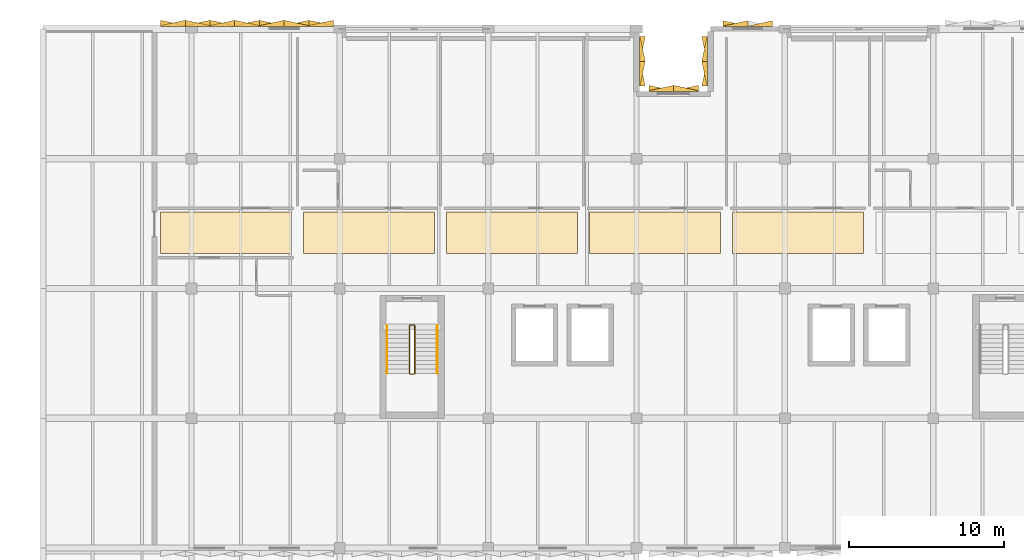
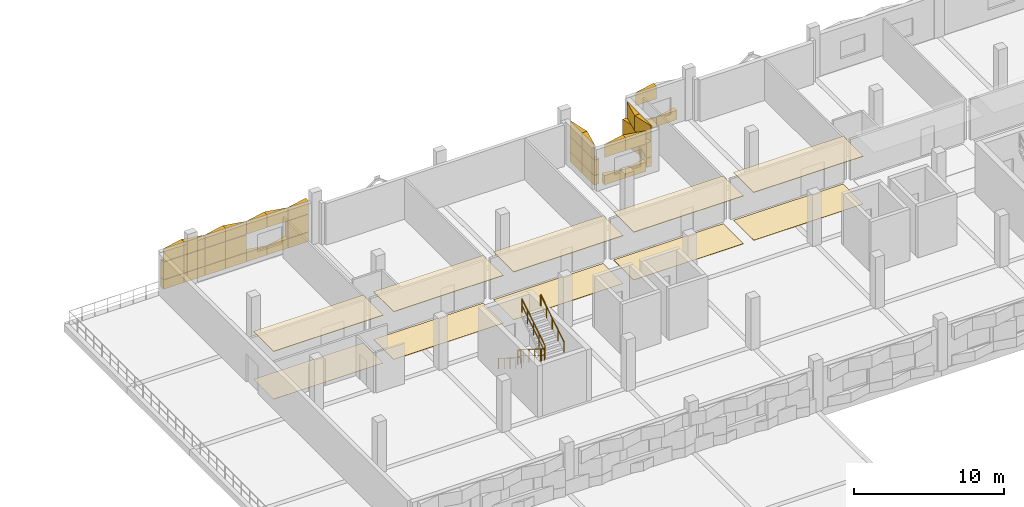
# One storey, part 22 of 24: 48 coverings, 6 railings.
"""IFC4 building model written with IfcOpenShell, lengths in metres."""

from ifc_helpers import new_model, si_unit, direction, frame, origin, origin_2d, place, context, subcontext, project, spatial, polyline, circle, outline, extrude, material, layer, layer_set, type_object, element, save


model = new_model("IFC4")

# Units and contexts
model_context = context("Model", 3, precision=1e-05, world=origin(), true_north=direction((0.0, 1.0)))
body_context = subcontext(model_context, "Body", "Model", "MODEL_VIEW")
ifc_project = project(units=[si_unit("LENGTHUNIT", "METRE"), si_unit("AREAUNIT", "SQUARE_METRE"), si_unit("VOLUMEUNIT", "CUBIC_METRE"), si_unit("PLANEANGLEUNIT", "RADIAN"), si_unit("MASSUNIT", "GRAM", prefix="KILO")], contexts=[model_context])

# Site, building, storey
site_placement = place(None, origin())
site = spatial("IfcSite", under=ifc_project, at=site_placement, CompositionType="ELEMENT")
building_placement = place(site_placement, origin())
building = spatial("IfcBuilding", under=site, at=building_placement, Name="Oolite Switchyard Hospital", CompositionType="ELEMENT")
storey_placement = place(building_placement, frame((0.0, 0.0, 22.0)))
storey = spatial("IfcBuildingStorey", under=building, at=storey_placement, Name="L05", CompositionType="ELEMENT", Elevation=22.0)

# Coverings
ifc_material_1 = material(Name="Hygienic washable mineral-fibre acoustic ceiling")
ifc_layer_1 = layer(ifc_material_1, 0.0400390625)
ifc_layer_set_1 = layer_set([ifc_layer_1], Name="COV-CEIL-AC60")
covering_type_1 = type_object("IfcCoveringType", Name="COV-CEIL-AC60", PredefinedType="CEILING", material=ifc_layer_set_1)
covering_1_placement = place(storey_placement, frame((0.0, 0.0, 3.885009765625)))
element("IfcCovering", 1, at=covering_1_placement, inside=storey, type_object=covering_type_1, Name="L05 East Cardiothoracic Step-Down Corridor Ceiling 1", PredefinedType="CEILING", context=body_context, shape_type="SweptSolid", body=[
    extrude(outline(polyline([(142.0, 119.85009765625), (150.45703125, 119.85009765625), (150.45703125, 122.550048828125), (142.0, 122.550048828125), (142.0, 119.85009765625)])), origin(), (0.0, 0.0, 1.0), 0.0400390625),
])
covering_2_placement = place(storey_placement, frame((0.0, 0.0, 3.885009765625)))
element("IfcCovering", 2, at=covering_2_placement, inside=storey, type_object=covering_type_1, Name="L05 East Cardiothoracic Step-Down Corridor Ceiling 2", PredefinedType="CEILING", context=body_context, shape_type="SweptSolid", body=[
    extrude(outline(polyline([(151.257080078125, 119.85009765625), (159.714111328125, 119.85009765625), (159.714111328125, 122.550048828125), (151.257080078125, 122.550048828125), (151.257080078125, 119.85009765625)])), origin(), (0.0, 0.0, 1.0), 0.0400390625),
])
covering_3_placement = place(storey_placement, frame((0.0, 0.0, 3.885009765625)))
element("IfcCovering", 3, at=covering_3_placement, inside=storey, type_object=covering_type_1, Name="L05 East Cardiothoracic Step-Down Corridor Ceiling 3", PredefinedType="CEILING", context=body_context, shape_type="SweptSolid", body=[
    extrude(outline(polyline([(160.513916015625, 119.85009765625), (168.970947265625, 119.85009765625), (168.970947265625, 122.550048828125), (160.513916015625, 122.550048828125), (160.513916015625, 119.85009765625)])), origin(), (0.0, 0.0, 1.0), 0.0400390625),
])
covering_4_placement = place(storey_placement, frame((0.0, 0.0, 3.885009765625)))
element("IfcCovering", 4, at=covering_4_placement, inside=storey, type_object=covering_type_1, Name="L05 East Cardiothoracic Step-Down Corridor Ceiling 4", PredefinedType="CEILING", context=body_context, shape_type="SweptSolid", body=[
    extrude(outline(polyline([(169.77099609375, 119.85009765625), (178.22802734375, 119.85009765625), (178.22802734375, 122.550048828125), (169.77099609375, 122.550048828125), (169.77099609375, 119.85009765625)])), origin(), (0.0, 0.0, 1.0), 0.0400390625),
])
covering_5_placement = place(storey_placement, frame((0.0, 0.0, 3.885009765625)))
element("IfcCovering", 5, at=covering_5_placement, inside=storey, type_object=covering_type_1, Name="L05 East Cardiothoracic Step-Down Corridor Ceiling 5", PredefinedType="CEILING", context=body_context, shape_type="SweptSolid", body=[
    extrude(outline(polyline([(179.028076171875, 119.85009765625), (187.485107421875, 119.85009765625), (187.485107421875, 122.550048828125), (179.028076171875, 122.550048828125), (179.028076171875, 119.85009765625)])), origin(), (0.0, 0.0, 1.0), 0.0400390625),
])
ifc_material_2 = material(Name="Precast oolitic limestone architectural concrete C40/50", Category="masonry")
covering_type_2 = type_object("IfcCoveringType", Name="COV-CHEV-COOL", PredefinedType="CLADDING", material=ifc_material_2)
covering_6_placement = place(storey_placement, frame((173.60009765625, 130.360107421875, 0.050048828125), z_axis=(0.0, 0.0, 1.0), x_axis=(1.0, 0.0, 0.0)))
element("IfcCovering", 6, at=covering_6_placement, inside=storey, type_object=covering_type_2, Name="L05 Chevron Precast Oolite Panel 1189", PredefinedType="CLADDING", context=body_context, shape_type="SweptSolid", body=[
    extrude(outline(polyline([(0.0, 0.0), (1.599853515625, 0.0), (1.599853515625, 0.044921875), (0.0, 0.385009765625), (0.0, 0.0)])), origin(), (0.0, 0.0, 1.0), 0.760009765625),
])
covering_7_placement = place(storey_placement, frame((173.60009765625, 130.360107421875, 2.2900390625), z_axis=(0.0, 0.0, 1.0), x_axis=(1.0, 0.0, 0.0)))
element("IfcCovering", 7, at=covering_7_placement, inside=storey, type_object=covering_type_2, Name="L05 Chevron Precast Oolite Panel 1190", PredefinedType="CLADDING", context=body_context, shape_type="SweptSolid", body=[
    extrude(outline(polyline([(0.0, 0.0), (1.599853515625, 0.0), (1.599853515625, 0.385009765625), (0.0, 0.044921875), (0.0, 0.0)])), origin(), (0.0, 0.0, 1.0), 1.050048828125),
])
covering_8_placement = place(storey_placement, frame((175.199951171875, 130.360107421875, 0.050048828125), z_axis=(0.0, 0.0, 1.0), x_axis=(1.0, 0.0, 0.0)))
element("IfcCovering", 8, at=covering_8_placement, inside=storey, type_object=covering_type_2, Name="L05 Chevron Precast Oolite Panel 1191", PredefinedType="CLADDING", context=body_context, shape_type="SweptSolid", body=[
    extrude(outline(polyline([(0.0, 0.0), (1.60009765625, 0.0), (1.60009765625, 0.385009765625), (0.0, 0.044921875), (0.0, 0.0)])), origin(), (0.0, 0.0, 1.0), 0.760009765625),
])
covering_9_placement = place(storey_placement, frame((175.199951171875, 130.360107421875, 2.2900390625), z_axis=(0.0, 0.0, 1.0), x_axis=(1.0, 0.0, 0.0)))
element("IfcCovering", 9, at=covering_9_placement, inside=storey, type_object=covering_type_2, Name="L05 Chevron Precast Oolite Panel 1192", PredefinedType="CLADDING", context=body_context, shape_type="SweptSolid", body=[
    extrude(outline(polyline([(0.0, 0.0), (1.60009765625, 0.0), (1.60009765625, 0.044921875), (0.0, 0.385009765625), (0.0, 0.0)])), origin(), (0.0, 0.0, 1.0), 1.050048828125),
])
covering_10_placement = place(storey_placement, frame((142.0, 134.570068359375, 0.050048828125), z_axis=(0.0, 0.0, 1.0), x_axis=(1.0, 0.0, 0.0)))
element("IfcCovering", 10, at=covering_10_placement, inside=storey, type_object=covering_type_2, Name="L05 Chevron Precast Oolite Panel 1193", PredefinedType="CLADDING", context=body_context, shape_type="SweptSolid", body=[
    extrude(outline(polyline([(0.0, 0.0), (1.60009765625, 0.0), (1.60009765625, 0.044921875), (0.0, 0.385009765625), (0.0, 0.0)])), origin(), (0.0, 0.0, 1.0), 0.760009765625),
])
covering_11_placement = place(storey_placement, frame((142.0, 134.570068359375, 2.2900390625), z_axis=(0.0, 0.0, 1.0), x_axis=(1.0, 0.0, 0.0)))
element("IfcCovering", 11, at=covering_11_placement, inside=storey, type_object=covering_type_2, Name="L05 Chevron Precast Oolite Panel 1194", PredefinedType="CLADDING", context=body_context, shape_type="SweptSolid", body=[
    extrude(outline(polyline([(0.0, 0.0), (1.60009765625, 0.0), (1.60009765625, 0.385009765625), (0.0, 0.044921875), (0.0, 0.0)])), origin(), (0.0, 0.0, 1.0), 1.050048828125),
])
covering_12_placement = place(storey_placement, frame((142.0, 134.570068359375, 0.830078125), z_axis=(0.0, 0.0, 1.0), x_axis=(1.0, 0.0, 0.0)))
element("IfcCovering", 12, at=covering_12_placement, inside=storey, type_object=covering_type_2, Name="L05 Chevron Precast Oolite Panel 1195", PredefinedType="CLADDING", context=body_context, shape_type="SweptSolid", body=[
    extrude(outline(polyline([(0.0, 0.0), (1.60009765625, 0.0), (1.60009765625, 0.044921875), (0.0, 0.385009765625), (0.0, 0.0)])), origin(), (0.0, 0.0, 1.0), 1.43994140625),
])
covering_13_placement = place(storey_placement, frame((143.60009765625, 134.570068359375, 0.050048828125), z_axis=(0.0, 0.0, 1.0), x_axis=(1.0, 0.0, 0.0)))
element("IfcCovering", 13, at=covering_13_placement, inside=storey, type_object=covering_type_2, Name="L05 Chevron Precast Oolite Panel 1196", PredefinedType="CLADDING", context=body_context, shape_type="SweptSolid", body=[
    extrude(outline(polyline([(0.0, 0.0), (1.599853515625, 0.0), (1.599853515625, 0.385009765625), (0.0, 0.044921875), (0.0, 0.0)])), origin(), (0.0, 0.0, 1.0), 0.760009765625),
])
covering_14_placement = place(storey_placement, frame((143.60009765625, 134.570068359375, 2.2900390625), z_axis=(0.0, 0.0, 1.0), x_axis=(1.0, 0.0, 0.0)))
element("IfcCovering", 14, at=covering_14_placement, inside=storey, type_object=covering_type_2, Name="L05 Chevron Precast Oolite Panel 1197", PredefinedType="CLADDING", context=body_context, shape_type="SweptSolid", body=[
    extrude(outline(polyline([(0.0, 0.0), (1.599853515625, 0.0), (1.599853515625, 0.044921875), (0.0, 0.385009765625), (0.0, 0.0)])), origin(), (0.0, 0.0, 1.0), 1.050048828125),
])
covering_15_placement = place(storey_placement, frame((143.60009765625, 134.570068359375, 0.830078125), z_axis=(0.0, 0.0, 1.0), x_axis=(1.0, 0.0, 0.0)))
element("IfcCovering", 15, at=covering_15_placement, inside=storey, type_object=covering_type_2, Name="L05 Chevron Precast Oolite Panel 1198", PredefinedType="CLADDING", context=body_context, shape_type="SweptSolid", body=[
    extrude(outline(polyline([(0.0, 0.0), (1.599853515625, 0.0), (1.599853515625, 0.385009765625), (0.0, 0.044921875), (0.0, 0.0)])), origin(), (0.0, 0.0, 1.0), 1.43994140625),
])
covering_16_placement = place(storey_placement, frame((145.199951171875, 134.570068359375, 0.050048828125), z_axis=(0.0, 0.0, 1.0), x_axis=(1.0, 0.0, 0.0)))
element("IfcCovering", 16, at=covering_16_placement, inside=storey, type_object=covering_type_2, Name="L05 Chevron Precast Oolite Panel 1199", PredefinedType="CLADDING", context=body_context, shape_type="SweptSolid", body=[
    extrude(outline(polyline([(0.0, 0.0), (1.60009765625, 0.0), (1.60009765625, 0.044921875), (0.0, 0.385009765625), (0.0, 0.0)])), origin(), (0.0, 0.0, 1.0), 0.760009765625),
])
covering_17_placement = place(storey_placement, frame((145.199951171875, 134.570068359375, 2.2900390625), z_axis=(0.0, 0.0, 1.0), x_axis=(1.0, 0.0, 0.0)))
element("IfcCovering", 17, at=covering_17_placement, inside=storey, type_object=covering_type_2, Name="L05 Chevron Precast Oolite Panel 1200", PredefinedType="CLADDING", context=body_context, shape_type="SweptSolid", body=[
    extrude(outline(polyline([(0.0, 0.0), (1.60009765625, 0.0), (1.60009765625, 0.385009765625), (0.0, 0.044921875), (0.0, 0.0)])), origin(), (0.0, 0.0, 1.0), 1.050048828125),
])
covering_18_placement = place(storey_placement, frame((145.199951171875, 134.570068359375, 0.830078125), z_axis=(0.0, 0.0, 1.0), x_axis=(1.0, 0.0, 0.0)))
element("IfcCovering", 18, at=covering_18_placement, inside=storey, type_object=covering_type_2, Name="L05 Chevron Precast Oolite Panel 1201", PredefinedType="CLADDING", context=body_context, shape_type="SweptSolid", body=[
    extrude(outline(polyline([(0.0, 0.0), (1.60009765625, 0.0), (1.60009765625, 0.044921875), (0.0, 0.385009765625), (0.0, 0.0)])), origin(), (0.0, 0.0, 1.0), 1.43994140625),
])
covering_19_placement = place(storey_placement, frame((146.800048828125, 134.570068359375, 0.050048828125), z_axis=(0.0, 0.0, 1.0), x_axis=(1.0, 0.0, 0.0)))
element("IfcCovering", 19, at=covering_19_placement, inside=storey, type_object=covering_type_2, Name="L05 Chevron Precast Oolite Panel 1202", PredefinedType="CLADDING", context=body_context, shape_type="SweptSolid", body=[
    extrude(outline(polyline([(0.0, 0.0), (1.599853515625, 0.0), (1.599853515625, 0.385009765625), (0.0, 0.044921875), (0.0, 0.0)])), origin(), (0.0, 0.0, 1.0), 0.760009765625),
])
covering_20_placement = place(storey_placement, frame((146.800048828125, 134.570068359375, 2.2900390625), z_axis=(0.0, 0.0, 1.0), x_axis=(1.0, 0.0, 0.0)))
element("IfcCovering", 20, at=covering_20_placement, inside=storey, type_object=covering_type_2, Name="L05 Chevron Precast Oolite Panel 1203", PredefinedType="CLADDING", context=body_context, shape_type="SweptSolid", body=[
    extrude(outline(polyline([(0.0, 0.0), (1.599853515625, 0.0), (1.599853515625, 0.044921875), (0.0, 0.385009765625), (0.0, 0.0)])), origin(), (0.0, 0.0, 1.0), 1.050048828125),
])
covering_21_placement = place(storey_placement, frame((146.800048828125, 134.570068359375, 0.830078125), z_axis=(0.0, 0.0, 1.0), x_axis=(1.0, 0.0, 0.0)))
element("IfcCovering", 21, at=covering_21_placement, inside=storey, type_object=covering_type_2, Name="L05 Chevron Precast Oolite Panel 1204", PredefinedType="CLADDING", context=body_context, shape_type="SweptSolid", body=[
    extrude(outline(polyline([(0.0, 0.0), (1.599853515625, 0.0), (1.599853515625, 0.385009765625), (0.0, 0.044921875), (0.0, 0.0)])), origin(), (0.0, 0.0, 1.0), 1.43994140625),
])
covering_22_placement = place(storey_placement, frame((148.39990234375, 134.570068359375, 0.050048828125), z_axis=(0.0, 0.0, 1.0), x_axis=(1.0, 0.0, 0.0)))
element("IfcCovering", 22, at=covering_22_placement, inside=storey, type_object=covering_type_2, Name="L05 Chevron Precast Oolite Panel 1205", PredefinedType="CLADDING", context=body_context, shape_type="SweptSolid", body=[
    extrude(outline(polyline([(0.0, 0.0), (1.60009765625, 0.0), (1.60009765625, 0.044921875), (0.0, 0.385009765625), (0.0, 0.0)])), origin(), (0.0, 0.0, 1.0), 0.760009765625),
])
covering_23_placement = place(storey_placement, frame((148.39990234375, 134.570068359375, 2.2900390625), z_axis=(0.0, 0.0, 1.0), x_axis=(1.0, 0.0, 0.0)))
element("IfcCovering", 23, at=covering_23_placement, inside=storey, type_object=covering_type_2, Name="L05 Chevron Precast Oolite Panel 1206", PredefinedType="CLADDING", context=body_context, shape_type="SweptSolid", body=[
    extrude(outline(polyline([(0.0, 0.0), (1.60009765625, 0.0), (1.60009765625, 0.385009765625), (0.0, 0.044921875), (0.0, 0.0)])), origin(), (0.0, 0.0, 1.0), 1.050048828125),
])
covering_24_placement = place(storey_placement, frame((150.0, 134.570068359375, 0.050048828125), z_axis=(0.0, 0.0, 1.0), x_axis=(1.0, 0.0, 0.0)))
element("IfcCovering", 24, at=covering_24_placement, inside=storey, type_object=covering_type_2, Name="L05 Chevron Precast Oolite Panel 1207", PredefinedType="CLADDING", context=body_context, shape_type="SweptSolid", body=[
    extrude(outline(polyline([(0.0, 0.0), (1.60009765625, 0.0), (1.60009765625, 0.385009765625), (0.0, 0.044921875), (0.0, 0.0)])), origin(), (0.0, 0.0, 1.0), 0.760009765625),
])
covering_25_placement = place(storey_placement, frame((150.0, 134.570068359375, 2.2900390625), z_axis=(0.0, 0.0, 1.0), x_axis=(1.0, 0.0, 0.0)))
element("IfcCovering", 25, at=covering_25_placement, inside=storey, type_object=covering_type_2, Name="L05 Chevron Precast Oolite Panel 1208", PredefinedType="CLADDING", context=body_context, shape_type="SweptSolid", body=[
    extrude(outline(polyline([(0.0, 0.0), (1.60009765625, 0.0), (1.60009765625, 0.044921875), (0.0, 0.385009765625), (0.0, 0.0)])), origin(), (0.0, 0.0, 1.0), 1.050048828125),
])
covering_26_placement = place(storey_placement, frame((151.60009765625, 134.570068359375, 0.050048828125), z_axis=(0.0, 0.0, 1.0), x_axis=(1.0, 0.0, 0.0)))
element("IfcCovering", 26, at=covering_26_placement, inside=storey, type_object=covering_type_2, Name="L05 Chevron Precast Oolite Panel 1209", PredefinedType="CLADDING", context=body_context, shape_type="SweptSolid", body=[
    extrude(outline(polyline([(0.0, 0.0), (1.599853515625, 0.0), (1.599853515625, 0.044921875), (0.0, 0.385009765625), (0.0, 0.0)])), origin(), (0.0, 0.0, 1.0), 0.760009765625),
])
covering_27_placement = place(storey_placement, frame((151.60009765625, 134.570068359375, 2.2900390625), z_axis=(0.0, 0.0, 1.0), x_axis=(1.0, 0.0, 0.0)))
element("IfcCovering", 27, at=covering_27_placement, inside=storey, type_object=covering_type_2, Name="L05 Chevron Precast Oolite Panel 1210", PredefinedType="CLADDING", context=body_context, shape_type="SweptSolid", body=[
    extrude(outline(polyline([(0.0, 0.0), (1.599853515625, 0.0), (1.599853515625, 0.385009765625), (0.0, 0.044921875), (0.0, 0.0)])), origin(), (0.0, 0.0, 1.0), 1.050048828125),
])
covering_28_placement = place(storey_placement, frame((151.60009765625, 134.570068359375, 0.830078125), z_axis=(0.0, 0.0, 1.0), x_axis=(1.0, 0.0, 0.0)))
element("IfcCovering", 28, at=covering_28_placement, inside=storey, type_object=covering_type_2, Name="L05 Chevron Precast Oolite Panel 1211", PredefinedType="CLADDING", context=body_context, shape_type="SweptSolid", body=[
    extrude(outline(polyline([(0.0, 0.0), (1.599853515625, 0.0), (1.599853515625, 0.044921875), (0.0, 0.385009765625), (0.0, 0.0)])), origin(), (0.0, 0.0, 1.0), 1.43994140625),
])
covering_29_placement = place(storey_placement, frame((178.39990234375, 134.5400390625, 0.050048828125), z_axis=(0.0, 0.0, 1.0), x_axis=(1.0, 0.0, 0.0)))
element("IfcCovering", 29, at=covering_29_placement, inside=storey, type_object=covering_type_2, Name="L05 Chevron Precast Oolite Panel 1212", PredefinedType="CLADDING", context=body_context, shape_type="SweptSolid", body=[
    extrude(outline(polyline([(0.0, 0.0), (1.60009765625, 0.0), (1.60009765625, 0.044921875), (0.0, 0.385009765625), (0.0, 0.0)])), origin(), (0.0, 0.0, 1.0), 0.760009765625),
])
covering_30_placement = place(storey_placement, frame((178.39990234375, 134.5400390625, 2.2900390625), z_axis=(0.0, 0.0, 1.0), x_axis=(1.0, 0.0, 0.0)))
element("IfcCovering", 30, at=covering_30_placement, inside=storey, type_object=covering_type_2, Name="L05 Chevron Precast Oolite Panel 1213", PredefinedType="CLADDING", context=body_context, shape_type="SweptSolid", body=[
    extrude(outline(polyline([(0.0, 0.0), (1.60009765625, 0.0), (1.60009765625, 0.385009765625), (0.0, 0.044921875), (0.0, 0.0)])), origin(), (0.0, 0.0, 1.0), 1.050048828125),
])
covering_31_placement = place(storey_placement, frame((180.0, 134.5400390625, 0.050048828125), z_axis=(0.0, 0.0, 1.0), x_axis=(1.0, 0.0, 0.0)))
element("IfcCovering", 31, at=covering_31_placement, inside=storey, type_object=covering_type_2, Name="L05 Chevron Precast Oolite Panel 1214", PredefinedType="CLADDING", context=body_context, shape_type="SweptSolid", body=[
    extrude(outline(polyline([(0.0, 0.0), (1.60009765625, 0.0), (1.60009765625, 0.385009765625), (0.0, 0.044921875), (0.0, 0.0)])), origin(), (0.0, 0.0, 1.0), 0.760009765625),
])
covering_32_placement = place(storey_placement, frame((172.97998046875, 133.89990234375, 0.050048828125), z_axis=(0.0, 0.0, 1.0), x_axis=(0.0, -1.0, 0.0)))
element("IfcCovering", 32, at=covering_32_placement, inside=storey, type_object=covering_type_2, Name="L05 Chevron Precast Oolite Panel 1290", PredefinedType="CLADDING", context=body_context, shape_type="SweptSolid", body=[
    extrude(outline(polyline([(0.0, 0.0), (1.599853515625, 0.0), (1.599853515625, 0.044921875), (0.0, 0.385009765625), (0.0, 0.0)])), origin(), (0.0, 0.0, 1.0), 0.760009765625),
])
covering_33_placement = place(storey_placement, frame((172.97998046875, 133.89990234375, 2.090087890625), z_axis=(0.0, 0.0, 1.0), x_axis=(0.0, -1.0, 0.0)))
element("IfcCovering", 33, at=covering_33_placement, inside=storey, type_object=covering_type_2, Name="L05 Chevron Precast Oolite Panel 1291", PredefinedType="CLADDING", context=body_context, shape_type="SweptSolid", body=[
    extrude(outline(polyline([(0.0, 0.0), (1.599853515625, 0.0), (1.599853515625, 0.385009765625), (0.0, 0.044921875), (0.0, 0.0)])), origin(), (0.0, 0.0, 1.0), 1.25),
])
covering_34_placement = place(storey_placement, frame((172.97998046875, 133.89990234375, 0.830078125), z_axis=(0.0, 0.0, 1.0), x_axis=(0.0, -1.0, 0.0)))
element("IfcCovering", 34, at=covering_34_placement, inside=storey, type_object=covering_type_2, Name="L05 Chevron Precast Oolite Panel 1292", PredefinedType="CLADDING", context=body_context, shape_type="SweptSolid", body=[
    extrude(outline(polyline([(0.0, 0.0), (1.599853515625, 0.0), (1.599853515625, 0.044921875), (0.0, 0.385009765625), (0.0, 0.0)])), origin(), (0.0, 0.0, 1.0), 1.239990234375),
])
covering_35_placement = place(storey_placement, frame((172.97998046875, 132.300048828125, 0.050048828125), z_axis=(0.0, 0.0, 1.0), x_axis=(0.0, -1.0, 0.0)))
element("IfcCovering", 35, at=covering_35_placement, inside=storey, type_object=covering_type_2, Name="L05 Chevron Precast Oolite Panel 1293", PredefinedType="CLADDING", context=body_context, shape_type="SweptSolid", body=[
    extrude(outline(polyline([(0.0, 0.0), (1.60009765625, 0.0), (1.60009765625, 0.385009765625), (0.0, 0.044921875), (0.0, 0.0)])), origin(), (0.0, 0.0, 1.0), 0.760009765625),
])
covering_36_placement = place(storey_placement, frame((172.97998046875, 132.300048828125, 2.090087890625), z_axis=(0.0, 0.0, 1.0), x_axis=(0.0, -1.0, 0.0)))
element("IfcCovering", 36, at=covering_36_placement, inside=storey, type_object=covering_type_2, Name="L05 Chevron Precast Oolite Panel 1294", PredefinedType="CLADDING", context=body_context, shape_type="SweptSolid", body=[
    extrude(outline(polyline([(0.0, 0.0), (1.60009765625, 0.0), (1.60009765625, 0.044921875), (0.0, 0.385009765625), (0.0, 0.0)])), origin(), (0.0, 0.0, 1.0), 1.25),
])
covering_37_placement = place(storey_placement, frame((172.97998046875, 132.300048828125, 0.830078125), z_axis=(0.0, 0.0, 1.0), x_axis=(0.0, -1.0, 0.0)))
element("IfcCovering", 37, at=covering_37_placement, inside=storey, type_object=covering_type_2, Name="L05 Chevron Precast Oolite Panel 1295", PredefinedType="CLADDING", context=body_context, shape_type="SweptSolid", body=[
    extrude(outline(polyline([(0.0, 0.0), (1.60009765625, 0.0), (1.60009765625, 0.385009765625), (0.0, 0.044921875), (0.0, 0.0)])), origin(), (0.0, 0.0, 1.0), 1.239990234375),
])
covering_38_placement = place(storey_placement, frame((177.409912109375, 130.699951171875, 0.050048828125), z_axis=(0.0, 0.0, 1.0), x_axis=(0.0, 1.0, 0.0)))
element("IfcCovering", 38, at=covering_38_placement, inside=storey, type_object=covering_type_2, Name="L05 Chevron Precast Oolite Panel 1296", PredefinedType="CLADDING", context=body_context, shape_type="SweptSolid", body=[
    extrude(outline(polyline([(0.0, 0.0), (1.60009765625, 0.0), (1.60009765625, 0.044921875), (0.0, 0.385009765625), (0.0, 0.0)])), origin(), (0.0, 0.0, 1.0), 0.760009765625),
])
covering_39_placement = place(storey_placement, frame((177.409912109375, 130.699951171875, 2.090087890625), z_axis=(0.0, 0.0, 1.0), x_axis=(0.0, 1.0, 0.0)))
element("IfcCovering", 39, at=covering_39_placement, inside=storey, type_object=covering_type_2, Name="L05 Chevron Precast Oolite Panel 1297", PredefinedType="CLADDING", context=body_context, shape_type="SweptSolid", body=[
    extrude(outline(polyline([(0.0, 0.0), (1.60009765625, 0.0), (1.60009765625, 0.385009765625), (0.0, 0.044921875), (0.0, 0.0)])), origin(), (0.0, 0.0, 1.0), 1.25),
])
covering_40_placement = place(storey_placement, frame((177.409912109375, 130.699951171875, 0.830078125), z_axis=(0.0, 0.0, 1.0), x_axis=(0.0, 1.0, 0.0)))
element("IfcCovering", 40, at=covering_40_placement, inside=storey, type_object=covering_type_2, Name="L05 Chevron Precast Oolite Panel 1298", PredefinedType="CLADDING", context=body_context, shape_type="SweptSolid", body=[
    extrude(outline(polyline([(0.0, 0.0), (1.60009765625, 0.0), (1.60009765625, 0.044921875), (0.0, 0.385009765625), (0.0, 0.0)])), origin(), (0.0, 0.0, 1.0), 1.239990234375),
])
covering_41_placement = place(storey_placement, frame((177.409912109375, 132.300048828125, 0.050048828125), z_axis=(0.0, 0.0, 1.0), x_axis=(0.0, 1.0, 0.0)))
element("IfcCovering", 41, at=covering_41_placement, inside=storey, type_object=covering_type_2, Name="L05 Chevron Precast Oolite Panel 1299", PredefinedType="CLADDING", context=body_context, shape_type="SweptSolid", body=[
    extrude(outline(polyline([(0.0, 0.0), (1.599853515625, 0.0), (1.599853515625, 0.385009765625), (0.0, 0.044921875), (0.0, 0.0)])), origin(), (0.0, 0.0, 1.0), 0.760009765625),
])
covering_42_placement = place(storey_placement, frame((177.409912109375, 132.300048828125, 2.090087890625), z_axis=(0.0, 0.0, 1.0), x_axis=(0.0, 1.0, 0.0)))
element("IfcCovering", 42, at=covering_42_placement, inside=storey, type_object=covering_type_2, Name="L05 Chevron Precast Oolite Panel 1300", PredefinedType="CLADDING", context=body_context, shape_type="SweptSolid", body=[
    extrude(outline(polyline([(0.0, 0.0), (1.599853515625, 0.0), (1.599853515625, 0.044921875), (0.0, 0.385009765625), (0.0, 0.0)])), origin(), (0.0, 0.0, 1.0), 1.25),
])
covering_43_placement = place(storey_placement, frame((177.409912109375, 132.300048828125, 0.830078125), z_axis=(0.0, 0.0, 1.0), x_axis=(0.0, 1.0, 0.0)))
element("IfcCovering", 43, at=covering_43_placement, inside=storey, type_object=covering_type_2, Name="L05 Chevron Precast Oolite Panel 1301", PredefinedType="CLADDING", context=body_context, shape_type="SweptSolid", body=[
    extrude(outline(polyline([(0.0, 0.0), (1.599853515625, 0.0), (1.599853515625, 0.385009765625), (0.0, 0.044921875), (0.0, 0.0)])), origin(), (0.0, 0.0, 1.0), 1.239990234375),
])
ifc_material_3 = material(Name="Epoxy terrazzo seamless clinical flooring")
ifc_layer_2 = layer(ifc_material_3, 0.02001953125)
ifc_layer_set_2 = layer_set([ifc_layer_2], Name="COV-FLR-TER20")
covering_type_3 = type_object("IfcCoveringType", Name="COV-FLR-TER20", PredefinedType="FLOORING", material=ifc_layer_set_2)
covering_44_placement = place(storey_placement, origin())
element("IfcCovering", 44, at=covering_44_placement, inside=storey, type_object=covering_type_3, Name="L05 East Cardiothoracic Step-Down Corridor Flooring 1", PredefinedType="FLOORING", context=body_context, shape_type="SweptSolid", body=[
    extrude(outline(polyline([(142.0, 119.85009765625), (150.45703125, 119.85009765625), (150.45703125, 122.550048828125), (142.0, 122.550048828125), (142.0, 119.85009765625)])), origin(), (0.0, 0.0, 1.0), 0.02001953125),
])
covering_45_placement = place(storey_placement, origin())
element("IfcCovering", 45, at=covering_45_placement, inside=storey, type_object=covering_type_3, Name="L05 East Cardiothoracic Step-Down Corridor Flooring 2", PredefinedType="FLOORING", context=body_context, shape_type="SweptSolid", body=[
    extrude(outline(polyline([(151.257080078125, 119.85009765625), (159.714111328125, 119.85009765625), (159.714111328125, 122.550048828125), (151.257080078125, 122.550048828125), (151.257080078125, 119.85009765625)])), origin(), (0.0, 0.0, 1.0), 0.02001953125),
])
covering_46_placement = place(storey_placement, origin())
element("IfcCovering", 46, at=covering_46_placement, inside=storey, type_object=covering_type_3, Name="L05 East Cardiothoracic Step-Down Corridor Flooring 3", PredefinedType="FLOORING", context=body_context, shape_type="SweptSolid", body=[
    extrude(outline(polyline([(160.513916015625, 119.85009765625), (168.970947265625, 119.85009765625), (168.970947265625, 122.550048828125), (160.513916015625, 122.550048828125), (160.513916015625, 119.85009765625)])), origin(), (0.0, 0.0, 1.0), 0.02001953125),
])
covering_47_placement = place(storey_placement, origin())
element("IfcCovering", 47, at=covering_47_placement, inside=storey, type_object=covering_type_3, Name="L05 East Cardiothoracic Step-Down Corridor Flooring 4", PredefinedType="FLOORING", context=body_context, shape_type="SweptSolid", body=[
    extrude(outline(polyline([(169.77099609375, 119.85009765625), (178.22802734375, 119.85009765625), (178.22802734375, 122.550048828125), (169.77099609375, 122.550048828125), (169.77099609375, 119.85009765625)])), origin(), (0.0, 0.0, 1.0), 0.02001953125),
])
covering_48_placement = place(storey_placement, origin())
element("IfcCovering", 48, at=covering_48_placement, inside=storey, type_object=covering_type_3, Name="L05 East Cardiothoracic Step-Down Corridor Flooring 5", PredefinedType="FLOORING", context=body_context, shape_type="SweptSolid", body=[
    extrude(outline(polyline([(179.028076171875, 119.85009765625), (187.485107421875, 119.85009765625), (187.485107421875, 122.550048828125), (179.028076171875, 122.550048828125), (179.028076171875, 119.85009765625)])), origin(), (0.0, 0.0, 1.0), 0.02001953125),
])

# Railings
ifc_material_4 = material(Name="Galvanized painted architectural steel handrail", Category="steel")
railing_type_1 = type_object("IfcRailingType", Name="RL-STAIR-GRD", PredefinedType="GUARDRAIL", material=ifc_material_4)
railing_1_placement = place(storey_placement, frame((158.110107421875, 115.18994140625, 0.175048828125)))
element("IfcRailing", 49, at=railing_1_placement, inside=storey, type_object=railing_type_1, Name="L05 ST-03 stair guard 1", PredefinedType="GUARDRAIL", context=body_context, shape_type="SweptSolid", body=[
    extrude(circle(Radius=0.02392578125, at=origin_2d()), frame((0.0, 0.0, 1.076171875), z_axis=(0.0, -0.847979421464, 0.530029150871), x_axis=(1.0, 0.0, 0.0)), (0.0, 0.0, 1.0), 3.632080078125),
    extrude(circle(Radius=0.015625, at=origin_2d()), frame((0.0, 0.0, 0.550048828125), z_axis=(0.0, -0.847979421464, 0.530029150871), x_axis=(1.0, 0.0, 0.0)), (0.0, 0.0, 1.0), 3.632080078125),
    extrude(circle(Radius=0.02099609375, at=origin_2d()), origin(), (0.0, 0.0, 1.0), 1.052001953125),
    extrude(circle(Radius=0.02099609375, at=origin_2d()), frame((0.0, -0.77001953125, 0.481201171875)), (0.0, 0.0, 1.0), 1.052001953125),
    extrude(circle(Radius=0.02099609375, at=origin_2d()), frame((0.0, -1.5400390625, 0.96240234375)), (0.0, 0.0, 1.0), 1.052001953125),
    extrude(circle(Radius=0.02099609375, at=origin_2d()), frame((0.0, -2.309814453125, 1.44384765625)), (0.0, 0.0, 1.0), 1.052001953125),
    extrude(circle(Radius=0.02099609375, at=origin_2d()), frame((0.0, -3.079833984375, 1.925048828125)), (0.0, 0.0, 1.0), 1.052001953125),
])
railing_2_placement = place(storey_placement, frame((158.159912109375, 112.06005859375, 2.10009765625)))
element("IfcRailing", 50, at=railing_2_placement, inside=storey, type_object=railing_type_1, Name="L05 ST-03 stair guard 2", PredefinedType="GUARDRAIL", context=body_context, shape_type="SweptSolid", body=[
    extrude(circle(Radius=0.02392578125, at=origin_2d()), frame((0.0, 0.0, 1.076171875), z_axis=(1.0, 0.0, 0.0), x_axis=(0.0, 1.0, 0.0)), (0.0, 0.0, 1.0), 0.239990234375),
    extrude(circle(Radius=0.015625, at=origin_2d()), frame((0.0, 0.0, 0.550048828125), z_axis=(1.0, 0.0, 0.0), x_axis=(0.0, 1.0, 0.0)), (0.0, 0.0, 1.0), 0.239990234375),
    extrude(circle(Radius=0.02099609375, at=origin_2d()), origin(), (0.0, 0.0, 1.0), 1.052001953125),
    extrude(circle(Radius=0.02099609375, at=origin_2d()), frame((0.239990234375, 0.0, 0.0)), (0.0, 0.0, 1.0), 1.052001953125),
])
railing_3_placement = place(storey_placement, frame((158.449951171875, 112.110107421875, 2.27490234375)))
element("IfcRailing", 51, at=railing_3_placement, inside=storey, type_object=railing_type_1, Name="L05 ST-03 stair guard 3", PredefinedType="GUARDRAIL", context=body_context, shape_type="SweptSolid", body=[
    extrude(circle(Radius=0.02392578125, at=origin_2d()), frame((0.0, 0.0, 1.076171875), z_axis=(0.0, 0.847979421464, 0.530029150871), x_axis=(-1.0, 0.0, 0.0)), (0.0, 0.0, 1.0), 3.632080078125),
    extrude(circle(Radius=0.015625, at=origin_2d()), frame((0.0, 0.0, 0.550048828125), z_axis=(0.0, 0.847979421464, 0.530029150871), x_axis=(-1.0, 0.0, 0.0)), (0.0, 0.0, 1.0), 3.632080078125),
    extrude(circle(Radius=0.02099609375, at=origin_2d()), origin(), (0.0, 0.0, 1.0), 1.052001953125),
    extrude(circle(Radius=0.02099609375, at=origin_2d()), frame((0.0, 0.77001953125, 0.481201171875)), (0.0, 0.0, 1.0), 1.052001953125),
    extrude(circle(Radius=0.02099609375, at=origin_2d()), frame((0.0, 1.5400390625, 0.96240234375)), (0.0, 0.0, 1.0), 1.052001953125),
    extrude(circle(Radius=0.02099609375, at=origin_2d()), frame((0.0, 2.309814453125, 1.44384765625)), (0.0, 0.0, 1.0), 1.052001953125),
    extrude(circle(Radius=0.02099609375, at=origin_2d()), frame((0.0, 3.079833984375, 1.925048828125)), (0.0, 0.0, 1.0), 1.052001953125),
])
railing_4_placement = place(storey_placement, frame((158.159912109375, 115.239990234375, 0.0)))
element("IfcRailing", 52, at=railing_4_placement, inside=storey, type_object=railing_type_1, Name="L05 ST-03 stair guard 4", PredefinedType="GUARDRAIL", context=body_context, shape_type="SweptSolid", body=[
    extrude(circle(Radius=0.02392578125, at=origin_2d()), frame((0.0, 0.0, 1.076171875), z_axis=(1.0, 0.0, 0.0), x_axis=(0.0, 1.0, 0.0)), (0.0, 0.0, 1.0), 0.239990234375),
    extrude(circle(Radius=0.015625, at=origin_2d()), frame((0.0, 0.0, 0.550048828125), z_axis=(1.0, 0.0, 0.0), x_axis=(0.0, 1.0, 0.0)), (0.0, 0.0, 1.0), 0.239990234375),
    extrude(circle(Radius=0.02099609375, at=origin_2d()), origin(), (0.0, 0.0, 1.0), 1.052001953125),
    extrude(circle(Radius=0.02099609375, at=origin_2d()), frame((0.239990234375, 0.0, 0.0)), (0.0, 0.0, 1.0), 1.052001953125),
])
railing_type_2 = type_object("IfcRailingType", Name="RL-STAIR-HND", PredefinedType="HANDRAIL", material=ifc_material_4)
railing_5_placement = place(storey_placement, frame((156.64990234375, 115.18994140625, 0.175048828125)))
element("IfcRailing", 53, at=railing_5_placement, inside=storey, type_object=railing_type_2, Name="L05 ST-03 stair handrail 1", PredefinedType="HANDRAIL", context=body_context, shape_type="SweptSolid", body=[
    extrude(circle(Radius=0.02392578125, at=origin_2d()), frame((0.0, 0.0, 0.8759765625), z_axis=(0.0, -0.847979421464, 0.530029150871), x_axis=(1.0, 0.0, 0.0)), (0.0, 0.0, 1.0), 3.632080078125),
    extrude(circle(Radius=0.02099609375, at=origin_2d()), origin(), (0.0, 0.0, 1.0), 0.851806640625),
    extrude(circle(Radius=0.02099609375, at=origin_2d()), frame((0.0, -0.77001953125, 0.481201171875)), (0.0, 0.0, 1.0), 0.851806640625),
    extrude(circle(Radius=0.02099609375, at=origin_2d()), frame((0.0, -1.5400390625, 0.96240234375)), (0.0, 0.0, 1.0), 0.851806640625),
    extrude(circle(Radius=0.02099609375, at=origin_2d()), frame((0.0, -2.309814453125, 1.44384765625)), (0.0, 0.0, 1.0), 0.851806640625),
    extrude(circle(Radius=0.02099609375, at=origin_2d()), frame((0.0, -3.079833984375, 1.925048828125)), (0.0, 0.0, 1.0), 0.851806640625),
])
railing_6_placement = place(storey_placement, frame((159.909912109375, 112.110107421875, 2.27490234375)))
element("IfcRailing", 54, at=railing_6_placement, inside=storey, type_object=railing_type_2, Name="L05 ST-03 stair handrail 2", PredefinedType="HANDRAIL", context=body_context, shape_type="SweptSolid", body=[
    extrude(circle(Radius=0.02392578125, at=origin_2d()), frame((0.0, 0.0, 0.8759765625), z_axis=(0.0, 0.847979421464, 0.530029150871), x_axis=(-1.0, 0.0, 0.0)), (0.0, 0.0, 1.0), 3.632080078125),
    extrude(circle(Radius=0.02099609375, at=origin_2d()), origin(), (0.0, 0.0, 1.0), 0.851806640625),
    extrude(circle(Radius=0.02099609375, at=origin_2d()), frame((0.0, 0.77001953125, 0.481201171875)), (0.0, 0.0, 1.0), 0.851806640625),
    extrude(circle(Radius=0.02099609375, at=origin_2d()), frame((0.0, 1.5400390625, 0.96240234375)), (0.0, 0.0, 1.0), 0.851806640625),
    extrude(circle(Radius=0.02099609375, at=origin_2d()), frame((0.0, 2.309814453125, 1.44384765625)), (0.0, 0.0, 1.0), 0.851806640625),
    extrude(circle(Radius=0.02099609375, at=origin_2d()), frame((0.0, 3.079833984375, 1.925048828125)), (0.0, 0.0, 1.0), 0.851806640625),
])

save(model, "model.ifc")
